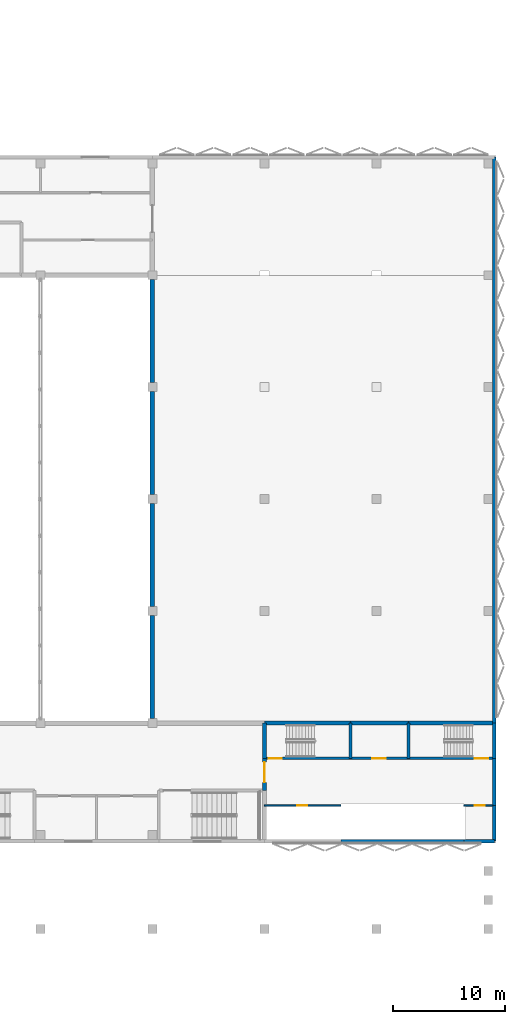
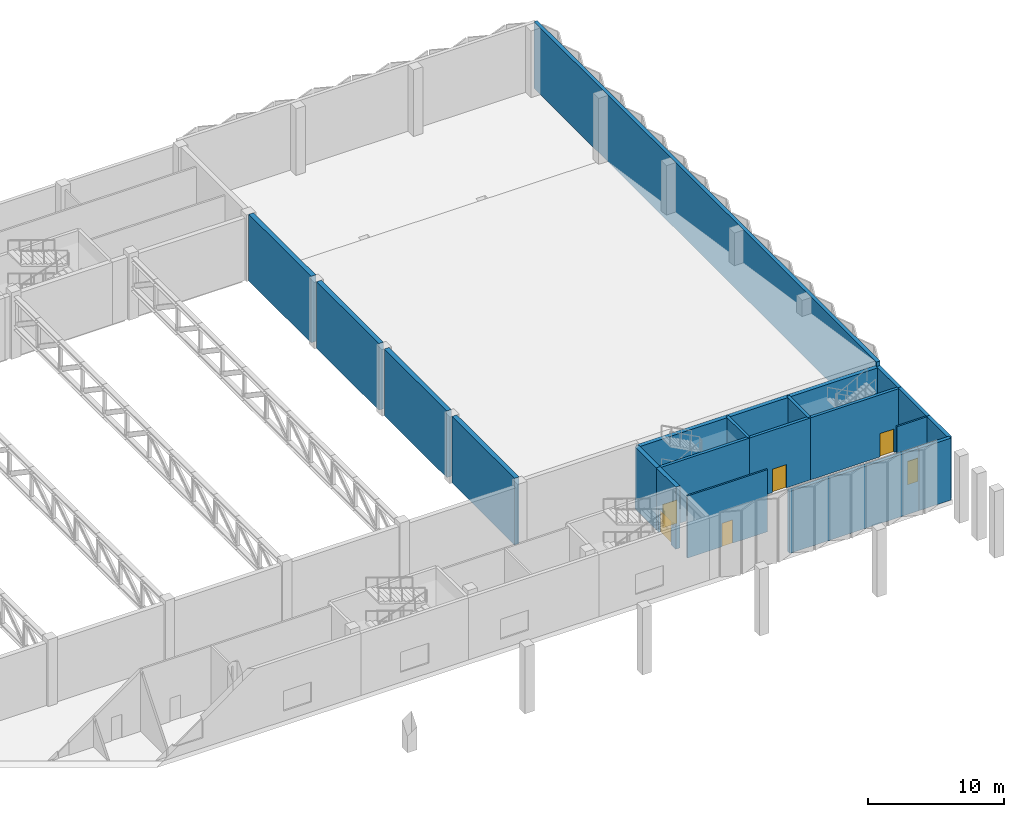
# One storey, part 33 of 51: 22 walls, 6 doors, 6 openings.
"""IFC4 building model written with IfcOpenShell, lengths in metres."""

from ifc_helpers import new_model, si_unit, direction, frame, frame_2d, origin, place, context, subcontext, project, spatial, rectangle, extrude, material, layer, layer_set, type_object, element, fill, save


model = new_model("IFC4")

# Units and contexts
model_context = context("Model", 3, precision=1e-05, world=origin(), true_north=direction((0.0, 1.0)))
body_context = subcontext(model_context, "Body", "Model", "MODEL_VIEW")
ifc_project = project(units=[si_unit("LENGTHUNIT", "METRE"), si_unit("AREAUNIT", "SQUARE_METRE"), si_unit("VOLUMEUNIT", "CUBIC_METRE"), si_unit("PLANEANGLEUNIT", "RADIAN"), si_unit("MASSUNIT", "GRAM", prefix="KILO")], contexts=[model_context])

# Site, building, storey
site_placement = place(None, origin())
site = spatial("IfcSite", under=ifc_project, at=site_placement, CompositionType="ELEMENT")
building_placement = place(site_placement, origin())
building = spatial("IfcBuilding", under=site, at=building_placement, Name="Jabali Bay Hotel Tower and Convention Centre", CompositionType="ELEMENT")
storey_placement = place(building_placement, frame((0.0, 0.0, 9.0)))
storey = spatial("IfcBuildingStorey", under=building, at=storey_placement, Name="L01", CompositionType="ELEMENT", Elevation=9.0)

# Walls
ifc_material_1 = material(Name="Concrete C60", Category="concrete")
ifc_layer_1 = layer(ifc_material_1, 0.35009765625)
ifc_layer_set_1 = layer_set([ifc_layer_1], Name="Concrete C60")
wall_type_1 = type_object("IfcWallType", Name="CC Core Wall 350", PredefinedType="SHEAR", material=ifc_layer_set_1)
wall_1_placement = place(storey_placement, frame((230.699951171875, 60.0, 0.0), z_axis=(0.0, 0.0, 1.0), x_axis=(1.0, 0.0, 0.0)))
element("IfcWall", 1, at=wall_1_placement, inside=storey, type_object=wall_type_1, Name="CC east core wall", PredefinedType="SHEAR", context=body_context, shape_type="SweptSolid", body=[
    extrude(rectangle(XDim=7.699951171875, YDim=0.35009765625, at=frame_2d((3.85009765625, 0.0))), origin(), (0.0, 0.0, 1.0), 5.590087890625),
])
wall_2_placement = place(storey_placement, frame((238.39990234375, 60.0, 0.0), z_axis=(0.0, 0.0, 1.0), x_axis=(1.0, 0.0, 0.0)))
element("IfcWall", 2, at=wall_2_placement, inside=storey, type_object=wall_type_1, Name="CC east core wall", PredefinedType="SHEAR", context=body_context, shape_type="SweptSolid", body=[
    extrude(rectangle(XDim=5.175048828125, YDim=0.35009765625, at=frame_2d((2.58740234375, 0.0))), origin(), (0.0, 0.0, 1.0), 5.590087890625),
])
wall_3_placement = place(storey_placement, frame((243.574951171875, 60.0, 0.0), z_axis=(0.0, 0.0, 1.0), x_axis=(1.0, 0.0, 0.0)))
element("IfcWall", 3, at=wall_3_placement, inside=storey, type_object=wall_type_1, Name="CC east core wall", PredefinedType="SHEAR", context=body_context, shape_type="SweptSolid", body=[
    extrude(rectangle(XDim=7.525146484375, YDim=0.35009765625, at=frame_2d((3.7626953125, 0.0))), origin(), (0.0, 0.0, 1.0), 5.590087890625),
])

# Wall, opening, door
wall_4_placement = place(storey_placement, frame((230.699951171875, 53.97509765625, 0.0), z_axis=(0.0, 0.0, 1.0), x_axis=(0.0, 1.0, 0.0)))
wall_4 = element("IfcWall", 4, at=wall_4_placement, inside=storey, type_object=wall_type_1, Name="CC east core wall", PredefinedType="SHEAR", context=body_context, shape_type="SweptSolid", body=[
    extrude(rectangle(XDim=2.875, YDim=0.35009765625, at=frame_2d((1.4375, 0.0))), origin(), (0.0, 0.0, 1.0), 5.590087890625),
])
opening_1_placement = place(wall_4_placement, frame((0.72509765625, 0.0, 0.0)))
opening_1 = element("IfcOpeningElement", 5, at=opening_1_placement, cuts=wall_4, Name="Opening CC-D026", PredefinedType="OPENING", context=body_context, shape_type="SweptSolid", body=[
    extrude(rectangle(XDim=1.800048828125, YDim=2.10009765625, at=frame_2d((0.89990234375, 1.050048828125))), frame((0.0, 0.185546875, 0.0), z_axis=(0.0, -1.0, 0.0), x_axis=(1.0, 0.0, 0.0)), (0.0, 0.0, 1.0), 0.37109375),
])
ifc_material_2 = material(Name="Timber and steel door set", Category="steel")
door_type_1 = type_object("IfcDoorType", Name="CC Double Door 1800x2100", OperationType="NOTDEFINED", PredefinedType="DOOR", material=ifc_material_2)
door_1_placement = place(opening_1_placement, origin())
door_1 = element("IfcDoor", 6, at=door_1_placement, inside=storey, type_object=door_type_1, Name="CC door CC-D026", OperationType="DOUBLE_DOOR_SINGLE_SWING", OverallHeight=2.10009765625, OverallWidth=1.800048828125, PredefinedType="DOOR", context=body_context, shape_type="SweptSolid", body=[
    extrude(rectangle(XDim=1.800048828125, YDim=2.10009765625, at=frame_2d((0.89990234375, 1.050048828125))), frame((0.0, 0.02490234375, 0.0), z_axis=(0.0, -1.0, 0.0), x_axis=(1.0, 0.0, 0.0)), (0.0, 0.0, 1.0), 0.050048828125),
])
fill(opening_1, door_1)

# Walls
wall_5_placement = place(storey_placement, frame((230.699951171875, 56.85009765625, 0.0), z_axis=(0.0, 0.0, 1.0), x_axis=(0.0, 1.0, 0.0)))
element("IfcWall", 7, at=wall_5_placement, inside=storey, type_object=wall_type_1, Name="CC east core wall", PredefinedType="SHEAR", context=body_context, shape_type="SweptSolid", body=[
    extrude(rectangle(XDim=3.14990234375, YDim=0.35009765625, at=frame_2d((1.574951171875, 0.0))), origin(), (0.0, 0.0, 1.0), 5.590087890625),
])
ifc_material_3 = material(Name="Concrete C40", Category="concrete")
ifc_layer_2 = layer(ifc_material_3, 0.300048828125)
ifc_layer_set_2 = layer_set([ifc_layer_2], Name="Concrete C40")
wall_type_2 = type_object("IfcWallType", Name="CC External Wall 300", PredefinedType="SOLIDWALL", material=ifc_layer_set_2)
wall_6_placement = place(storey_placement, frame((251.25, 60.0, 0.0), z_axis=(0.0, 0.0, 1.0), x_axis=(0.0, 1.0, 0.0)))
element("IfcWall", 8, at=wall_6_placement, inside=storey, type_object=wall_type_2, Name="CC plenary hall external wall", PredefinedType="SOLIDWALL", context=body_context, shape_type="SweptSolid", body=[
    extrude(rectangle(XDim=50.550048828125, YDim=0.300048828125, at=frame_2d((25.27490234375, 0.0))), origin(), (0.0, 0.0, 1.0), 6.0),
])
wall_7_placement = place(storey_placement, frame((248.52490234375, 49.449951171875, 0.0), z_axis=(0.0, 0.0, 1.0), x_axis=(1.0, 0.0, 0.0)))
element("IfcWall", 9, at=wall_7_placement, inside=storey, type_object=wall_type_2, Name="CC wall 227", PredefinedType="SOLIDWALL", context=body_context, shape_type="SweptSolid", body=[
    extrude(rectangle(XDim=2.72509765625, YDim=0.300048828125, at=frame_2d((1.362548828125, 0.0))), origin(), (0.0, 0.0, 1.0), 5.590087890625),
])
wall_8_placement = place(storey_placement, frame((251.25, 49.449951171875, 0.0), z_axis=(0.0, 0.0, 1.0), x_axis=(0.0, 1.0, 0.0)))
element("IfcWall", 10, at=wall_8_placement, inside=storey, type_object=wall_type_2, Name="CC wall 229", PredefinedType="SOLIDWALL", context=body_context, shape_type="SweptSolid", body=[
    extrude(rectangle(XDim=3.175048828125, YDim=0.300048828125, at=frame_2d((1.58740234375, 0.0))), origin(), (0.0, 0.0, 1.0), 5.590087890625),
])
wall_9_placement = place(storey_placement, frame((237.52490234375, 49.449951171875, 0.0), z_axis=(0.0, 0.0, 1.0), x_axis=(1.0, 0.0, 0.0)))
element("IfcWall", 11, at=wall_9_placement, inside=storey, type_object=wall_type_2, Name="CC wall 283", PredefinedType="SOLIDWALL", context=body_context, shape_type="SweptSolid", body=[
    extrude(rectangle(XDim=11.0, YDim=0.300048828125, at=frame_2d((5.5, 0.0))), origin(), (0.0, 0.0, 1.0), 5.590087890625),
])
wall_10_placement = place(storey_placement, frame((251.25, 52.625, 0.0), z_axis=(0.0, 0.0, 1.0), x_axis=(0.0, 1.0, 0.0)))
element("IfcWall", 12, at=wall_10_placement, inside=storey, type_object=wall_type_2, Name="CC wall 286", PredefinedType="SOLIDWALL", context=body_context, shape_type="SweptSolid", body=[
    extrude(rectangle(XDim=4.22509765625, YDim=0.300048828125, at=frame_2d((2.112548828125, 0.0))), origin(), (0.0, 0.0, 1.0), 5.590087890625),
])
wall_11_placement = place(storey_placement, frame((251.25, 56.85009765625, 0.0), z_axis=(0.0, 0.0, 1.0), x_axis=(0.0, 1.0, 0.0)))
element("IfcWall", 13, at=wall_11_placement, inside=storey, type_object=wall_type_2, Name="CC wall 287", PredefinedType="SOLIDWALL", context=body_context, shape_type="SweptSolid", body=[
    extrude(rectangle(XDim=3.14990234375, YDim=0.300048828125, at=frame_2d((1.574951171875, 0.0))), origin(), (0.0, 0.0, 1.0), 5.590087890625),
])
ifc_layer_3 = layer(ifc_material_3, 0.39990234375)
ifc_layer_set_3 = layer_set([ifc_layer_3], Name="Concrete C40")
wall_type_3 = type_object("IfcWallType", Name="CC Hall Wall 400", PredefinedType="SHEAR", material=ifc_layer_set_3)
for number, where, z_axis, x_axis, name in (
    (14, (220.699951171875, 60.39990234375, 0.0), (0.0, 0.0, 1.0), (0.0, 1.0, 0.0), "CC plenary hall wall"),
    (15, (220.699951171875, 70.39990234375, 0.0), (0.0, 0.0, 1.0), (0.0, 1.0, 0.0), "CC plenary hall wall"),
    (16, (220.699951171875, 80.39990234375, 0.0), (0.0, 0.0, 1.0), (0.0, 1.0, 0.0), "CC plenary hall wall"),
    (17, (220.699951171875, 90.39990234375, 0.0), (0.0, 0.0, 1.0), (0.0, 1.0, 0.0), "CC plenary hall wall"),
):
    element("IfcWall", number, at=place(storey_placement, frame(where, z_axis=z_axis, x_axis=x_axis)), inside=storey, type_object=wall_type_3, Name=name, PredefinedType="SHEAR", context=body_context, shape_type="SweptSolid", body=[
        extrude(rectangle(XDim=9.2001953125, YDim=0.39990234375, at=frame_2d((4.60009765625, 0.0))), origin(), (0.0, 0.0, 1.0), 6.0),
    ])

# Wall, opening, door
ifc_material_4 = material(Name="Blockwork M10", Category="masonry")
ifc_layer_4 = layer(ifc_material_4, 0.14990234375)
ifc_layer_set_4 = layer_set([ifc_layer_4], Name="Blockwork M10")
wall_type_4 = type_object("IfcWallType", Name="CC Partition 150", PredefinedType="PARTITIONING", material=ifc_layer_set_4)
wall_12_placement = place(storey_placement, frame((251.10009765625, 52.625, 0.0), z_axis=(0.0, 0.0, 1.0), x_axis=(-1.0, 0.0, 0.0)))
wall_12 = element("IfcWall", 18, at=wall_12_placement, inside=storey, type_object=wall_type_4, Name="CC wall 228", PredefinedType="PARTITIONING", context=body_context, shape_type="SweptSolid", body=[
    extrude(rectangle(XDim=2.5751953125, YDim=0.14990234375, at=frame_2d((1.28759765625, 0.0))), origin(), (0.0, 0.0, 1.0), 5.590087890625),
])
opening_2_placement = place(wall_12_placement, frame((0.72509765625, 0.0, 0.0)))
opening_2 = element("IfcOpeningElement", 19, at=opening_2_placement, cuts=wall_12, Name="Opening CC-D191", PredefinedType="OPENING", context=body_context, shape_type="SweptSolid", body=[
    extrude(rectangle(XDim=0.89990234375, YDim=2.10009765625, at=frame_2d((0.449951171875, 1.050048828125))), frame((0.0, 0.08544921875, 0.0), z_axis=(0.0, -1.0, 0.0), x_axis=(1.0, 0.0, 0.0)), (0.0, 0.0, 1.0), 0.1708984375),
])
door_type_2 = type_object("IfcDoorType", Name="CC Riser Door 900x2100", OperationType="NOTDEFINED", PredefinedType="DOOR", material=ifc_material_2)
door_2_placement = place(opening_2_placement, origin())
door_2 = element("IfcDoor", 20, at=door_2_placement, inside=storey, type_object=door_type_2, Name="CC door CC-D191", OperationType="SINGLE_SWING_LEFT", OverallHeight=2.10009765625, OverallWidth=0.89990234375, PredefinedType="DOOR", context=body_context, shape_type="SweptSolid", body=[
    extrude(rectangle(XDim=0.89990234375, YDim=2.10009765625, at=frame_2d((0.449951171875, 1.050048828125))), frame((0.0, 0.02490234375, 0.0), z_axis=(0.0, -1.0, 0.0), x_axis=(1.0, 0.0, 0.0)), (0.0, 0.0, 1.0), 0.050048828125),
])
fill(opening_2, door_2)

wall_13_placement = place(storey_placement, frame((237.52490234375, 52.625, 0.0), z_axis=(0.0, 0.0, 1.0), x_axis=(-1.0, 0.0, 0.0)))
wall_13 = element("IfcWall", 21, at=wall_13_placement, inside=storey, type_object=wall_type_4, Name="CC wall 231", PredefinedType="PARTITIONING", context=body_context, shape_type="SweptSolid", body=[
    extrude(rectangle(XDim=6.824951171875, YDim=0.14990234375, at=frame_2d((3.41259765625, 0.0))), origin(), (0.0, 0.0, 1.0), 5.590087890625),
])
opening_3_placement = place(wall_13_placement, frame((2.97509765625, 0.0, 0.0)))
opening_3 = element("IfcOpeningElement", 22, at=opening_3_placement, cuts=wall_13, Name="Opening CC-D192", PredefinedType="OPENING", context=body_context, shape_type="SweptSolid", body=[
    extrude(rectangle(XDim=0.89990234375, YDim=2.10009765625, at=frame_2d((0.449951171875, 1.050048828125))), frame((0.0, 0.08544921875, 0.0), z_axis=(0.0, -1.0, 0.0), x_axis=(1.0, 0.0, 0.0)), (0.0, 0.0, 1.0), 0.1708984375),
])
door_3_placement = place(opening_3_placement, origin())
door_3 = element("IfcDoor", 23, at=door_3_placement, inside=storey, type_object=door_type_2, Name="CC door CC-D192", OperationType="SINGLE_SWING_RIGHT", OverallHeight=2.10009765625, OverallWidth=0.89990234375, PredefinedType="DOOR", context=body_context, shape_type="SweptSolid", body=[
    extrude(rectangle(XDim=0.89990234375, YDim=2.10009765625, at=frame_2d((0.449951171875, 1.050048828125))), frame((0.0, 0.02490234375, 0.0), z_axis=(0.0, -1.0, 0.0), x_axis=(1.0, 0.0, 0.0)), (0.0, 0.0, 1.0), 0.050048828125),
])
fill(opening_3, door_3)

ifc_layer_5 = layer(ifc_material_3, 0.25)
ifc_layer_set_5 = layer_set([ifc_layer_5], Name="Concrete C40")
wall_type_5 = type_object("IfcWallType", Name="CC Shaft Wall 250", PredefinedType="SHEAR", material=ifc_layer_set_5)
wall_14_placement = place(storey_placement, frame((238.39990234375, 56.85009765625, 0.0), z_axis=(0.0, 0.0, 1.0), x_axis=(-1.0, 0.0, 0.0)))
wall_14 = element("IfcWall", 24, at=wall_14_placement, inside=storey, type_object=wall_type_5, Name="CC east core wall", PredefinedType="SHEAR", context=body_context, shape_type="SweptSolid", body=[
    extrude(rectangle(XDim=7.699951171875, YDim=0.25, at=frame_2d((3.85009765625, 0.0))), origin(), (0.0, 0.0, 1.0), 5.590087890625),
])
opening_4_placement = place(wall_14_placement, frame((6.125, 0.0, 0.0)))
opening_4 = element("IfcOpeningElement", 25, at=opening_4_placement, cuts=wall_14, Name="Opening CC-D185", PredefinedType="OPENING", context=body_context, shape_type="SweptSolid", body=[
    extrude(rectangle(XDim=1.199951171875, YDim=2.10009765625, at=frame_2d((0.60009765625, 1.050048828125))), frame((0.0, 0.135498046875, 0.0), z_axis=(0.0, -1.0, 0.0), x_axis=(1.0, 0.0, 0.0)), (0.0, 0.0, 1.0), 0.27099609375),
])
door_type_3 = type_object("IfcDoorType", Name="CC Stair Door 1200x2100", OperationType="NOTDEFINED", PredefinedType="DOOR", material=ifc_material_2)
door_4_placement = place(opening_4_placement, origin())
door_4 = element("IfcDoor", 26, at=door_4_placement, inside=storey, type_object=door_type_3, Name="CC door CC-D185", OperationType="SINGLE_SWING_LEFT", OverallHeight=2.10009765625, OverallWidth=1.199951171875, PredefinedType="DOOR", context=body_context, shape_type="SweptSolid", body=[
    extrude(rectangle(XDim=1.199951171875, YDim=2.10009765625, at=frame_2d((0.60009765625, 1.050048828125))), frame((0.0, 0.02490234375, 0.0), z_axis=(0.0, -1.0, 0.0), x_axis=(1.0, 0.0, 0.0)), (0.0, 0.0, 1.0), 0.050048828125),
])
fill(opening_4, door_4)

wall_15_placement = place(storey_placement, frame((243.574951171875, 56.85009765625, 0.0), z_axis=(0.0, 0.0, 1.0), x_axis=(-1.0, 0.0, 0.0)))
wall_15 = element("IfcWall", 27, at=wall_15_placement, inside=storey, type_object=wall_type_5, Name="CC east core wall", PredefinedType="SHEAR", context=body_context, shape_type="SweptSolid", body=[
    extrude(rectangle(XDim=5.175048828125, YDim=0.25, at=frame_2d((2.58740234375, 0.0))), origin(), (0.0, 0.0, 1.0), 5.590087890625),
])
opening_5_placement = place(wall_15_placement, frame((2.02490234375, 0.0, 0.0)))
opening_5 = element("IfcOpeningElement", 28, at=opening_5_placement, cuts=wall_15, Name="Opening CC-D186", PredefinedType="OPENING", context=body_context, shape_type="SweptSolid", body=[
    extrude(rectangle(XDim=1.199951171875, YDim=2.10009765625, at=frame_2d((0.60009765625, 1.050048828125))), frame((0.0, 0.135498046875, 0.0), z_axis=(0.0, -1.0, 0.0), x_axis=(1.0, 0.0, 0.0)), (0.0, 0.0, 1.0), 0.27099609375),
])
door_type_4 = type_object("IfcDoorType", Name="CC Vestibule Door 1200x2100", OperationType="NOTDEFINED", PredefinedType="DOOR", material=ifc_material_2)
door_5_placement = place(opening_5_placement, origin())
door_5 = element("IfcDoor", 29, at=door_5_placement, inside=storey, type_object=door_type_4, Name="CC door CC-D186", OperationType="SINGLE_SWING_RIGHT", OverallHeight=2.10009765625, OverallWidth=1.199951171875, PredefinedType="DOOR", context=body_context, shape_type="SweptSolid", body=[
    extrude(rectangle(XDim=1.199951171875, YDim=2.10009765625, at=frame_2d((0.60009765625, 1.050048828125))), frame((0.0, 0.02490234375, 0.0), z_axis=(0.0, -1.0, 0.0), x_axis=(1.0, 0.0, 0.0)), (0.0, 0.0, 1.0), 0.050048828125),
])
fill(opening_5, door_5)

wall_16_placement = place(storey_placement, frame((251.10009765625, 56.85009765625, 0.0), z_axis=(0.0, 0.0, 1.0), x_axis=(-1.0, 0.0, 0.0)))
wall_16 = element("IfcWall", 30, at=wall_16_placement, inside=storey, type_object=wall_type_5, Name="CC east core wall", PredefinedType="SHEAR", context=body_context, shape_type="SweptSolid", body=[
    extrude(rectangle(XDim=7.525146484375, YDim=0.25, at=frame_2d((3.7626953125, 0.0))), origin(), (0.0, 0.0, 1.0), 5.590087890625),
])
opening_6_placement = place(wall_16_placement, frame((0.39990234375, 0.0, 0.0)))
opening_6 = element("IfcOpeningElement", 31, at=opening_6_placement, cuts=wall_16, Name="Opening CC-D184", PredefinedType="OPENING", context=body_context, shape_type="SweptSolid", body=[
    extrude(rectangle(XDim=1.199951171875, YDim=2.10009765625, at=frame_2d((0.60009765625, 1.050048828125))), frame((0.0, 0.135498046875, 0.0), z_axis=(0.0, -1.0, 0.0), x_axis=(1.0, 0.0, 0.0)), (0.0, 0.0, 1.0), 0.27099609375),
])
door_6_placement = place(opening_6_placement, origin())
door_6 = element("IfcDoor", 32, at=door_6_placement, inside=storey, type_object=door_type_3, Name="CC door CC-D184", OperationType="SINGLE_SWING_RIGHT", OverallHeight=2.10009765625, OverallWidth=1.199951171875, PredefinedType="DOOR", context=body_context, shape_type="SweptSolid", body=[
    extrude(rectangle(XDim=1.199951171875, YDim=2.10009765625, at=frame_2d((0.60009765625, 1.050048828125))), frame((0.0, 0.02490234375, 0.0), z_axis=(0.0, -1.0, 0.0), x_axis=(1.0, 0.0, 0.0)), (0.0, 0.0, 1.0), 0.050048828125),
])
fill(opening_6, door_6)

# Walls
for number, where, z_axis, x_axis, name in (
    (33, (243.574951171875, 56.85009765625, 0.0), (0.0, 0.0, 1.0), (0.0, 1.0, 0.0), "CC east core wall"),
    (34, (238.39990234375, 56.85009765625, 0.0), (0.0, 0.0, 1.0), (0.0, 1.0, 0.0), "CC east core wall"),
):
    element("IfcWall", number, at=place(storey_placement, frame(where, z_axis=z_axis, x_axis=x_axis)), inside=storey, type_object=wall_type_5, Name=name, PredefinedType="SHEAR", context=body_context, shape_type="SweptSolid", body=[
        extrude(rectangle(XDim=3.14990234375, YDim=0.25, at=frame_2d((1.574951171875, 0.0))), origin(), (0.0, 0.0, 1.0), 5.590087890625),
    ])

save(model, "model.ifc")
